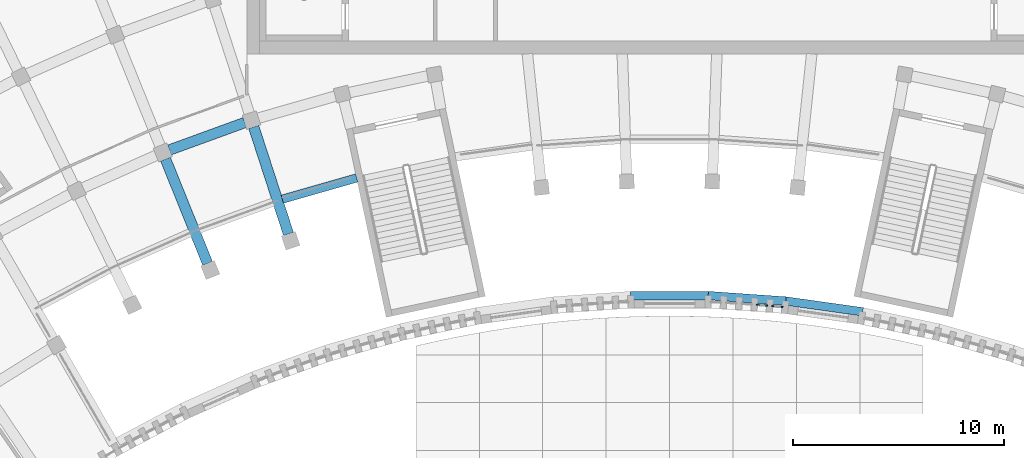
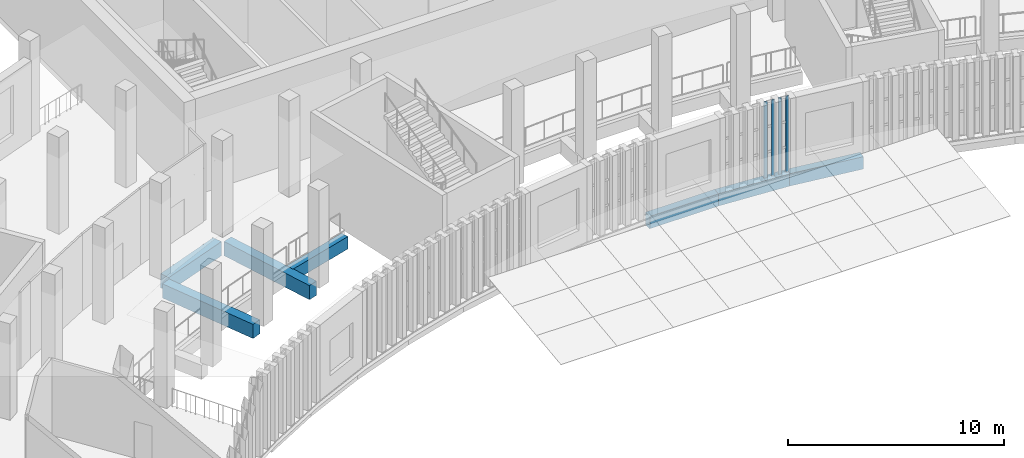
# One storey, part 12 of 112: 7 beams, 4 members, 2 elements without a shape of their own.
"""IFC4 building model written with IfcOpenShell, lengths in metres."""

from ifc_helpers import new_model, si_unit, direction, frame, origin, origin_2d, place, context, subcontext, project, spatial, rectangle, extrude, material, layer, layer_set, material_profile, profile_set, type_object, element, aggregate, save


model = new_model("IFC4")

# Units and contexts
model_context = context("Model", 3, precision=1e-05, world=origin(), true_north=direction((0.0, 1.0)))
body_context = subcontext(model_context, "Body", "Model", "MODEL_VIEW")
ifc_project = project(units=[si_unit("LENGTHUNIT", "METRE"), si_unit("AREAUNIT", "SQUARE_METRE"), si_unit("VOLUMEUNIT", "CUBIC_METRE"), si_unit("PLANEANGLEUNIT", "RADIAN"), si_unit("MASSUNIT", "GRAM", prefix="KILO")], contexts=[model_context])

# Site, building, storey
site_placement = place(None, origin())
site = spatial("IfcSite", under=ifc_project, at=site_placement, CompositionType="ELEMENT")
building_placement = place(site_placement, origin())
building = spatial("IfcBuilding", under=site, at=building_placement, Name="Lunette Opera House", CompositionType="ELEMENT")
storey_placement = place(building_placement, frame((0.0, 0.0, 6.0)))
storey = spatial("IfcBuildingStorey", under=building, at=storey_placement, Name="L01", CompositionType="ELEMENT", Elevation=6.0)

# Curtain wall, members
ifc_material_1 = material(Name="Aluminium", Category="aluminium")
ifc_layer = layer(ifc_material_1, 0.1201171875)
ifc_layer_set = layer_set([ifc_layer], Name="Aluminium")
curtain_wall_type = type_object("IfcCurtainWallType", Name="SLOT CURTAIN WALL", PredefinedType="NOTDEFINED", material=ifc_layer_set)
curtain_wall_1_placement = place(storey_placement, origin())
curtain_wall_1 = element("IfcCurtainWall", 1, at=curtain_wall_1_placement, inside=storey, type_object=curtain_wall_type, Name="Slot Curtain Wall CS044 L01", PredefinedType="NOTDEFINED")
ifc_material_2 = material(Name="Aluminium", Category="aluminium")
ifc_material_profile_1 = material_profile(ifc_material_2, rectangle(XDim=0.06005859375, YDim=0.159912109375, at=origin_2d()), Name="MULLION 60 X 160")
ifc_profile_set_1 = profile_set([ifc_material_profile_1], Name="Aluminium")
member_type = type_object("IfcMemberType", Name="MULLION 60 X 160", PredefinedType="MULLION", material=ifc_profile_set_1)
member_1_placement = place(storey_placement, frame((100.19189453125, 52.131591796875, 0.0), z_axis=(0.0, 0.0, 1.0), x_axis=(0.083622170575, 0.996497532655, 0.0)))
member_1 = element("IfcMember", 2, at=member_1_placement, type_object=member_type, Name="FC-X2088 mullion 1", PredefinedType="MULLION", context=body_context, shape_type="SweptSolid", body=[
    extrude(rectangle(XDim=0.06005859375, YDim=0.159912109375, at=origin_2d()), origin(), (0.0, 0.0, 1.0), 4.300048828125),
])
member_2_placement = place(storey_placement, frame((100.56103515625, 52.1005859375, 0.0), z_axis=(0.0, 0.0, 1.0), x_axis=(0.083622170575, 0.996497532655, 0.0)))
member_2 = element("IfcMember", 3, at=member_2_placement, type_object=member_type, Name="FC-X2088 mullion 2", PredefinedType="MULLION", context=body_context, shape_type="SweptSolid", body=[
    extrude(rectangle(XDim=0.06005859375, YDim=0.159912109375, at=origin_2d()), origin(), (0.0, 0.0, 1.0), 4.300048828125),
])
aggregate(curtain_wall_1, [member_1, member_2])

curtain_wall_2_placement = place(storey_placement, origin())
curtain_wall_2 = element("IfcCurtainWall", 4, at=curtain_wall_2_placement, inside=storey, type_object=curtain_wall_type, Name="Slot Curtain Wall CS045 L01", PredefinedType="NOTDEFINED")
member_3_placement = place(storey_placement, frame((100.9189453125, 52.068115234375, 0.0), z_axis=(0.0, 0.0, 1.0), x_axis=(0.097436256965, 0.995241767526, 0.0)))
member_3 = element("IfcMember", 5, at=member_3_placement, type_object=member_type, Name="FC-X2090 mullion 1", PredefinedType="MULLION", context=body_context, shape_type="SweptSolid", body=[
    extrude(rectangle(XDim=0.06005859375, YDim=0.159912109375, at=origin_2d()), origin(), (0.0, 0.0, 1.0), 4.300048828125),
])
member_4_placement = place(storey_placement, frame((101.2880859375, 52.031982421875, 0.0), z_axis=(0.0, 0.0, 1.0), x_axis=(0.097436256965, 0.995241767526, 0.0)))
member_4 = element("IfcMember", 6, at=member_4_placement, type_object=member_type, Name="FC-X2090 mullion 2", PredefinedType="MULLION", context=body_context, shape_type="SweptSolid", body=[
    extrude(rectangle(XDim=0.06005859375, YDim=0.159912109375, at=origin_2d()), origin(), (0.0, 0.0, 1.0), 4.300048828125),
])
aggregate(curtain_wall_2, [member_3, member_4])

# Beams
ifc_material_3 = material(Name="Concrete C35/45", Category="concrete")
ifc_material_profile_2 = material_profile(ifc_material_3, rectangle(XDim=0.39990234375, YDim=0.699951171875, at=origin_2d()), Name="RC BEAM 400X700")
ifc_profile_set_2 = profile_set([ifc_material_profile_2], Name="Concrete C35/45")
beam_type_1 = type_object("IfcBeamType", Name="RC BEAM 400X700", PredefinedType="BEAM", material=ifc_profile_set_2)
beam_1_placement = place(storey_placement, frame((77.679931640625, 57.126953125, -0.570068359375), z_axis=(0.961284568992, 0.275557575506, 0.0), x_axis=(-0.275557575506, 0.961284568992, 0.0)))
element("IfcBeam", 7, at=beam_1_placement, inside=storey, type_object=beam_type_1, Name="beam-FC-L01-TRL01-005", PredefinedType="BEAM", context=body_context, shape_type="SweptSolid", body=[
    extrude(rectangle(XDim=0.39990234375, YDim=0.699951171875, at=origin_2d()), origin(), (0.0, 0.0, 1.0), 3.661865234375),
])
beam_2_placement = place(storey_placement, frame((105.14404296875, 51.800048828125, -0.570068359375), z_axis=(-0.990300842473, 0.138939704176, 0.0), x_axis=(-0.138939704176, -0.990300842473, 0.0)))
element("IfcBeam", 8, at=beam_2_placement, inside=storey, type_object=beam_type_1, Name="beam-FC-L01-TRL01-020", PredefinedType="BEAM", context=body_context, shape_type="SweptSolid", body=[
    extrude(rectangle(XDim=0.39990234375, YDim=0.699951171875, at=origin_2d()), origin(), (0.0, 0.0, 1.0), 3.69189453125),
])
beam_3_placement = place(storey_placement, frame((101.508056640625, 52.31103515625, -0.570068359375), z_axis=(-0.997553158419, 0.069912059969, 0.0), x_axis=(-0.069912059969, -0.997553158419, 0.0)))
element("IfcBeam", 9, at=beam_3_placement, inside=storey, type_object=beam_type_1, Name="beam-FC-L01-TRL01-021", PredefinedType="BEAM", context=body_context, shape_type="SweptSolid", body=[
    extrude(rectangle(XDim=0.39990234375, YDim=0.699951171875, at=origin_2d()), origin(), (0.0, 0.0, 1.0), 3.691162109375),
])
beam_4_placement = place(storey_placement, frame((97.845947265625, 52.568115234375, -0.570068359375), z_axis=(-1.0, 0.0, 0.0), x_axis=(0.0, -1.0, 0.0)))
element("IfcBeam", 10, at=beam_4_placement, inside=storey, type_object=beam_type_1, Name="beam-FC-L01-TRL01-022", PredefinedType="BEAM", context=body_context, shape_type="SweptSolid", body=[
    extrude(rectangle(XDim=0.39990234375, YDim=0.699951171875, at=origin_2d()), origin(), (0.0, 0.0, 1.0), 3.69189453125),
])
ifc_material_4 = material(Name="Concrete C35/45", Category="concrete")
ifc_material_profile_3 = material_profile(ifc_material_4, rectangle(XDim=0.5, YDim=0.800048828125, at=origin_2d()), Name="RC BEAM 500X800")
ifc_profile_set_3 = profile_set([ifc_material_profile_3], Name="Concrete C35/45")
beam_type_2 = type_object("IfcBeamType", Name="RC BEAM 500X800", PredefinedType="BEAM", material=ifc_profile_set_3)
beam_5_placement = place(storey_placement, frame((74.14501953125, 54.092041015625, -0.6201171875), z_axis=(-0.374434974163, 0.927253174771, 0.0), x_axis=(-0.927253174771, -0.374434974163, 0.0)))
element("IfcBeam", 11, at=beam_5_placement, inside=storey, type_object=beam_type_2, Name="beam-FC-L01-L01-RB-RL-08-2", PredefinedType="BEAM", context=body_context, shape_type="SweptSolid", body=[
    extrude(rectangle(XDim=0.5, YDim=0.800048828125, at=origin_2d()), origin(), (0.0, 0.0, 1.0), 5.31982421875),
])
beam_6_placement = place(storey_placement, frame((77.971923828125, 55.485107421875, -0.6201171875), z_axis=(-0.309072580724, 0.951038453399, 0.0), x_axis=(-0.951038453399, -0.309072580724, 0.0)))
element("IfcBeam", 12, at=beam_6_placement, inside=storey, type_object=beam_type_2, Name="beam-FC-L01-L01-RB-RL-09-2", PredefinedType="BEAM", context=body_context, shape_type="SweptSolid", body=[
    extrude(rectangle(XDim=0.5, YDim=0.800048828125, at=origin_2d()), origin(), (0.0, 0.0, 1.0), 5.3193359375),
])
beam_7_placement = place(storey_placement, frame((72.344970703125, 59.4560546875, -0.6201171875), z_axis=(0.939620121597, 0.342219267561, 0.0), x_axis=(-0.342219267561, 0.939620121597, 0.0)))
element("IfcBeam", 13, at=beam_7_placement, inside=storey, type_object=beam_type_2, Name="beam-FC-L01-L01-RG-AR-B-RL-08", PredefinedType="BEAM", context=body_context, shape_type="SweptSolid", body=[
    extrude(rectangle(XDim=0.5, YDim=0.800048828125, at=origin_2d()), origin(), (0.0, 0.0, 1.0), 3.786865234375),
])

save(model, "model.ifc")
